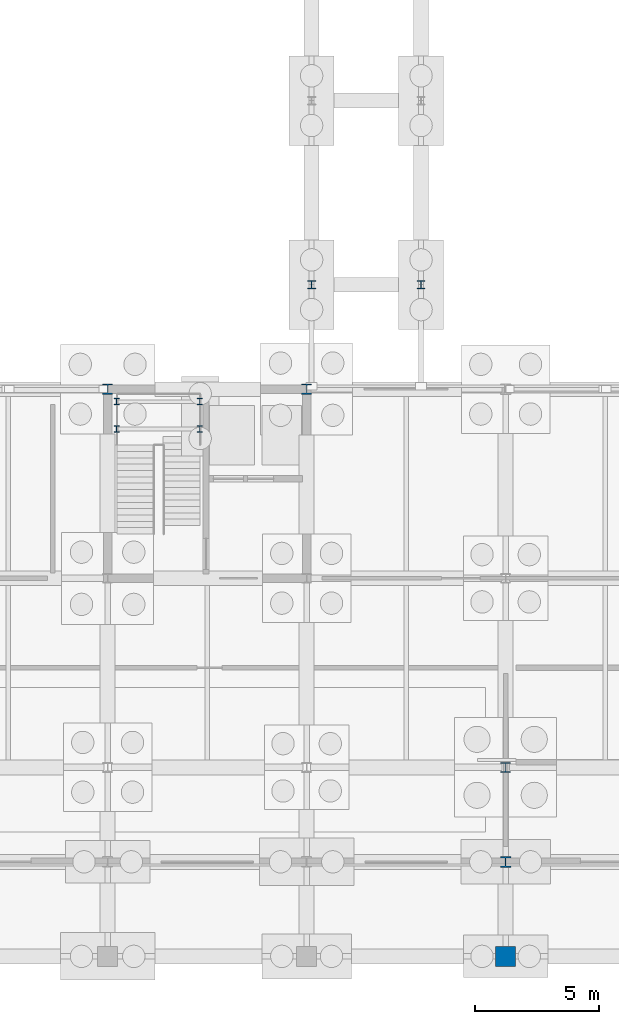
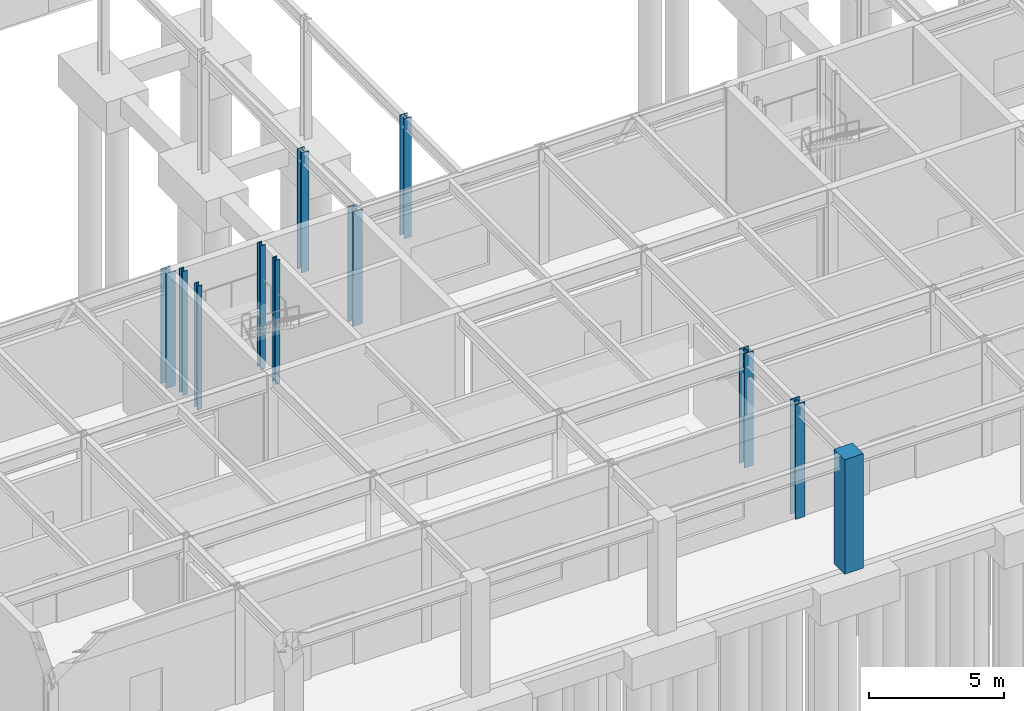
# One storey, part 9 of 62: 11 columns.
"""IFC4 building model written with IfcOpenShell, lengths in metres."""

import ifcopenshell
import ifcopenshell.guid

model = None  # the IFC model being written
_history = None  # IfcOwnerHistory: only IFC2X3 demands one
_inside = {}  # id of a spatial element -> (the spatial element, [elements in it])
_under = {}  # id of a project, library or spatial element -> (it, [spatial elements below it])
_declared = {}  # id of a project -> (the project, [libraries it declares])
_typed = {}  # id of a type object -> (the type object, [elements of that type])
_made_of = {}  # id of a material, layer set ... -> (it, [elements and type objects made of it])


def new_model(schema):
    """Start an empty IFC model of exactly this schema.

    Asked for "IFC4X3", IfcOpenShell would pick the latest addendum, in which some entities
    have other attributes; the version numbers below select the first issue.
    IFC2X3 requires an IfcOwnerHistory on every rooted entity: one is made here for all.
    """
    global model, _history
    if schema == "IFC4X3":
        model = ifcopenshell.file(schema_version=(4, 3, 0, 0))
    else:
        model = ifcopenshell.file(schema=schema)
    _inside.clear()
    _under.clear()
    _declared.clear()
    _typed.clear()
    _made_of.clear()
    _history = None
    if model.schema == "IFC2X3":
        org = make("IfcOrganization", Name="unknown")
        user = make(
            "IfcPersonAndOrganization",
            ThePerson=make("IfcPerson", FamilyName="unknown"),
            TheOrganization=org,
        )
        app = make(
            "IfcApplication",
            ApplicationDeveloper=org,
            Version="unknown",
            ApplicationFullName="unknown",
            ApplicationIdentifier="unknown",
        )
        _history = make(
            "IfcOwnerHistory",
            OwningUser=user,
            OwningApplication=app,
            ChangeAction="ADDED",
            CreationDate=0,
        )
    return model


def make(cls, **values):
    """One entity of the class cls with the attributes given. An attribute that is None is left unset."""
    return model.create_entity(
        cls, **{name: value for name, value in values.items() if value is not None}
    )


def rooted(cls, **values):
    """An entity with a GlobalId (a new one), such as an element, a storey or a relation."""
    return make(cls, GlobalId=ifcopenshell.guid.new(), OwnerHistory=_history, **values)


def si_unit(unit_type, name, prefix=None):
    """IfcSIUnit, for example si_unit("LENGTHUNIT", "METRE", prefix="MILLI")."""
    return make("IfcSIUnit", UnitType=unit_type, Prefix=prefix, Name=name)


def assignment(units):
    """IfcUnitAssignment: the units of a project."""
    return None if units is None else make("IfcUnitAssignment", Units=units)


def point(xyz):
    """IfcCartesianPoint."""
    return None if xyz is None else make("IfcCartesianPoint", Coordinates=xyz)


def direction(xyz):
    """IfcDirection."""
    return None if xyz is None else make("IfcDirection", DirectionRatios=xyz)


def frame(location, z_axis=None, x_axis=None):
    """IfcAxis2Placement3D, a coordinate frame: its origin and axes. An axis left out is left unset."""
    return make(
        "IfcAxis2Placement3D",
        Location=point(location),
        Axis=direction(z_axis),
        RefDirection=direction(x_axis),
    )


def frame_2d(location, x_axis=None):
    """IfcAxis2Placement2D, a coordinate frame in the plane: its origin and x axis."""
    return make(
        "IfcAxis2Placement2D", Location=point(location), RefDirection=direction(x_axis)
    )


def origin():
    """The frame at (0, 0, 0) with its axes left unset."""
    return frame((0.0, 0.0, 0.0))


def origin_2d():
    """The frame at (0, 0) in the plane with its x axis left unset."""
    return frame_2d((0.0, 0.0))


def place(relative_to, where):
    """IfcLocalPlacement: puts the frame where relative to a parent placement (None: the world)."""
    return make(
        "IfcLocalPlacement", PlacementRelTo=relative_to, RelativePlacement=where
    )


def context(
    kind, dimensions, precision=None, world=None, true_north=None, identifier=None
):
    """IfcGeometricRepresentationContext, for example the 3D "Model" context."""
    return make(
        "IfcGeometricRepresentationContext",
        ContextIdentifier=identifier,
        ContextType=kind,
        CoordinateSpaceDimension=dimensions,
        Precision=precision,
        WorldCoordinateSystem=world,
        TrueNorth=true_north,
    )


def subcontext(parent, identifier, kind, view, scale=None):
    """IfcGeometricRepresentationSubContext, for example "Body" below "Model"."""
    return make(
        "IfcGeometricRepresentationSubContext",
        ContextIdentifier=identifier,
        ContextType=kind,
        ParentContext=parent,
        TargetScale=scale,
        TargetView=view,
    )


def project(units=None, contexts=None):
    """IfcProject with its units and contexts."""
    return rooted(
        "IfcProject",
        Name="project",
        RepresentationContexts=contexts,
        UnitsInContext=assignment(units),
    )


def spatial(cls, under=None, at=None, **own):
    """A site, building, storey or space (cls), placed at a placement, below another one or the project."""
    s = rooted(cls, ObjectPlacement=at, **own)
    if under is not None:
        _under.setdefault(under.id(), (under, []))[1].append(s)
    return s


def profile(cls, at=None, kind="AREA", **sizes):
    """A parametric profile (cls). Its sizes go by their IFC names, for example OverallWidth=200.0."""
    return make(cls, ProfileType=kind, Position=at, **sizes)


def rectangle(**sizes):
    """IfcRectangleProfileDef."""
    return profile("IfcRectangleProfileDef", **sizes)


def i_section(**sizes):
    """IfcIShapeProfileDef."""
    return profile("IfcIShapeProfileDef", **sizes)


def extrude(swept, where, along, depth):
    """IfcExtrudedAreaSolid: the profile swept, set in the frame where, extruded along a direction by depth."""
    return make(
        "IfcExtrudedAreaSolid",
        SweptArea=swept,
        Position=where,
        ExtrudedDirection=direction(along),
        Depth=depth,
    )


def shape(context_of_items, identifier, shape_type, items):
    """IfcShapeRepresentation: the items that make up one representation, for example the "Body"."""
    return make(
        "IfcShapeRepresentation",
        ContextOfItems=context_of_items,
        RepresentationIdentifier=identifier,
        RepresentationType=shape_type,
        Items=items,
    )


def material(Name=None, Category=None):
    """IfcMaterial."""
    return make("IfcMaterial", Name=Name, Category=Category)


def material_profile(
    of_material, cross_section, Name=None, Category=None, Priority=None
):
    """IfcMaterialProfile: a cross section and its material."""
    return make(
        "IfcMaterialProfile",
        Name=Name,
        Material=of_material,
        Profile=cross_section,
        Priority=Priority,
        Category=Category,
    )


def profile_set(profiles, Name=None, composite=None):
    """IfcMaterialProfileSet."""
    return make(
        "IfcMaterialProfileSet",
        Name=Name,
        MaterialProfiles=profiles,
        CompositeProfile=composite,
    )


def made_of(thing, what):
    """Note that an element or type object is made of a material, layer set ...; save() writes the relation."""
    if what is not None:
        _made_of.setdefault(what.id(), (what, []))[1].append(thing)
    return thing


def type_object(cls, material=None, **own):
    """A type object (cls), such as IfcWallType, which elements share."""
    return made_of(rooted(cls, **own), material)


def element(
    cls,
    number,
    at=None,
    inside=None,
    cuts=None,
    type_object=None,
    material=None,
    context=None,
    identifier="Body",
    shape_type=None,
    held_by="IfcProductDefinitionShape",
    body=None,
    shapes=None,
    **own,
):
    """One element of the class cls, such as IfcWall. Its Tag is "e" and its number.

    at: its placement. inside: the storey or other place that contains it. cuts: it is an
    opening in that element (IfcRelVoidsElement). A single representation is given by context,
    identifier, shape_type and body (its items); several are given by shapes. held_by: the class
    of the entity that holds the representations. save() writes the other relations.
    """
    e = rooted(cls, Tag="e%d" % number, ObjectPlacement=at, **own)
    if body is not None:
        shapes = [shape(context, identifier, shape_type, body)]
    if shapes is not None:
        e.Representation = make(held_by, Representations=shapes)
    if inside is not None:
        _inside.setdefault(inside.id(), (inside, []))[1].append(e)
    if cuts is not None:
        rooted(
            "IfcRelVoidsElement", RelatingBuildingElement=cuts, RelatedOpeningElement=e
        )
    if type_object is not None:
        _typed.setdefault(type_object.id(), (type_object, []))[1].append(e)
    return made_of(e, material)


def aggregate(whole, parts):
    """IfcRelAggregates: a whole, such as a stair, and the parts it consists of."""
    return rooted("IfcRelAggregates", RelatingObject=whole, RelatedObjects=parts)


def save(model, path):
    """Write the relations noted so far, then the file.

    IfcRelAggregates (storeys below a building ...), IfcRelContainedInSpatialStructure (elements
    in a storey), IfcRelDefinesByType, IfcRelAssociatesMaterial and IfcRelDeclares: one each for
    every whole, place, type object, material and project.
    """
    for whole, parts in _under.values():
        aggregate(whole, parts)
    for where, things in _inside.values():
        rooted(
            "IfcRelContainedInSpatialStructure",
            RelatedElements=things,
            RelatingStructure=where,
        )
    for kind, things in _typed.values():
        rooted("IfcRelDefinesByType", RelatedObjects=things, RelatingType=kind)
    for what, things in _made_of.values():
        rooted("IfcRelAssociatesMaterial", RelatedObjects=things, RelatingMaterial=what)
    for by, libraries in _declared.values():
        rooted("IfcRelDeclares", RelatingContext=by, RelatedDefinitions=libraries)
    model.write(path)


model = new_model("IFC4")

# Units and contexts
model_context = context("Model", 3, precision=1e-05, world=origin(), true_north=direction((0.0, 1.0)))
body_context = subcontext(model_context, "Body", "Model", "MODEL_VIEW")
ifc_project = project(units=[si_unit("LENGTHUNIT", "METRE"), si_unit("AREAUNIT", "SQUARE_METRE"), si_unit("VOLUMEUNIT", "CUBIC_METRE"), si_unit("PLANEANGLEUNIT", "RADIAN"), si_unit("MASSUNIT", "GRAM", prefix="KILO")], contexts=[model_context])

# Site, building, storey
site_placement = place(None, origin())
site = spatial("IfcSite", under=ifc_project, at=site_placement, CompositionType="ELEMENT")
building_placement = place(site_placement, origin())
building = spatial("IfcBuilding", under=site, at=building_placement, Name="Zulena Civic Courthouse", CompositionType="ELEMENT")
storey_placement = place(building_placement, origin())
storey = spatial("IfcBuildingStorey", under=building, at=storey_placement, Name="L00", CompositionType="ELEMENT", Elevation=0.0)

# Columns
ifc_material_1 = material(Name="Concrete C40/50", Category="concrete")
ifc_material_profile_1 = material_profile(ifc_material_1, rectangle(XDim=0.800048828125, YDim=0.800048828125, at=origin_2d()), Name="RC800X800")
ifc_profile_set_1 = profile_set([ifc_material_profile_1], Name="Concrete C40/50")
column_type_1 = type_object("IfcColumnType", Name="Col_RC800", PredefinedType="COLUMN", material=ifc_profile_set_1)
column_1_placement = place(storey_placement, frame((36.0, 0.0, 0.0), z_axis=(0.0, 0.0, 1.0), x_axis=(1.0, 0.0, 0.0)))
element("IfcColumn", 1, at=column_1_placement, inside=storey, type_object=column_type_1, Name="col:V2:L00:arc:36.0", PredefinedType="COLUMN", context=body_context, shape_type="SweptSolid", body=[
    extrude(rectangle(XDim=0.800048828125, YDim=0.800048828125, at=origin_2d()), origin(), (0.0, 0.0, 1.0), 5.18505859375),
])
ifc_material_2 = material(Name="Steel ASTM A992 Grade 50", Category="steel")
ifc_material_profile_2 = material_profile(ifc_material_2, i_section(OverallWidth=0.2041015625, OverallDepth=0.257080078125, WebThickness=0.0087890625, FlangeThickness=0.015625, FilletRadius=0.0126953125, at=origin_2d()), Name="W10X45")
ifc_profile_set_2 = profile_set([ifc_material_profile_2], Name="Steel ASTM A992 Grade 50")
column_type_2 = type_object("IfcColumnType", Name="Col_W10X45", PredefinedType="COLUMN", material=ifc_profile_set_2)
for number, where, z_axis, x_axis, name in (
    (2, (20.360107421875, 21.199951171875, -0.22998046875), (0.0, 0.0, 1.0), (1.0, 0.0, 0.0), "col:lnd:K2A:L00:0:0"),
    (3, (23.699951171875, 21.199951171875, -0.22998046875), (0.0, 0.0, 1.0), (1.0, 0.0, 0.0), "col:lnd:K2A:L00:0:1"),
    (4, (20.360107421875, 22.300048828125, -0.22998046875), (0.0, 0.0, 1.0), (1.0, 0.0, 0.0), "col:lnd:K2A:L00:1:0"),
    (5, (23.699951171875, 22.300048828125, -0.22998046875), (0.0, 0.0, 1.0), (1.0, 0.0, 0.0), "col:lnd:K2A:L00:1:1"),
):
    element("IfcColumn", number, at=place(storey_placement, frame(where, z_axis=z_axis, x_axis=x_axis)), inside=storey, type_object=column_type_2, Name=name, PredefinedType="COLUMN", context=body_context, shape_type="SweptSolid", body=[
        extrude(i_section(OverallWidth=0.2041015625, OverallDepth=0.257080078125, WebThickness=0.0087890625, FlangeThickness=0.015625, FilletRadius=0.0126953125, at=origin_2d()), origin(), (0.0, 0.0, 1.0), 5.625),
    ])
ifc_material_profile_3 = material_profile(ifc_material_2, i_section(OverallWidth=0.31298828125, OverallDepth=0.3330078125, WebThickness=0.01806640625, FlangeThickness=0.0283203125, FilletRadius=0.01513671875, at=origin_2d()), Name="W12X120")
ifc_profile_set_3 = profile_set([ifc_material_profile_3], Name="Steel ASTM A992 Grade 50")
column_type_3 = type_object("IfcColumnType", Name="Col_W12X120", PredefinedType="COLUMN", material=ifc_profile_set_3)
for number, where, z_axis, x_axis, name in (
    (6, (28.199951171875, 27.0, -0.22998046875), (0.0, 0.0, 1.0), (1.0, 0.0, 0.0), "col:bridge:BR-52J:L00:28.20:27.00"),
    (7, (32.60009765625, 27.0, -0.22998046875), (0.0, 0.0, 1.0), (1.0, 0.0, 0.0), "col:bridge:BR-52J:L00:32.60:27.00"),
):
    element("IfcColumn", number, at=place(storey_placement, frame(where, z_axis=z_axis, x_axis=x_axis)), inside=storey, type_object=column_type_3, Name=name, PredefinedType="COLUMN", context=body_context, shape_type="SweptSolid", body=[
        extrude(i_section(OverallWidth=0.31298828125, OverallDepth=0.3330078125, WebThickness=0.01806640625, FlangeThickness=0.0283203125, FilletRadius=0.01513671875, at=origin_2d()), origin(), (0.0, 0.0, 1.0), 5.43505859375),
    ])
ifc_material_profile_4 = material_profile(ifc_material_2, i_section(OverallWidth=0.40087890625, OverallDepth=0.39892578125, WebThickness=0.02490234375, FlangeThickness=0.03955078125, FilletRadius=0.01513671875, at=origin_2d()), Name="W14X211")
ifc_profile_set_4 = profile_set([ifc_material_profile_4], Name="Steel ASTM A992 Grade 50")
column_type_4 = type_object("IfcColumnType", Name="Col_W14X211", PredefinedType="COLUMN", material=ifc_profile_set_4)
column_2_placement = place(storey_placement, frame((36.0, 7.60009765625, 0.0), z_axis=(0.0, 0.0, 1.0), x_axis=(1.0, 0.0, 0.0)))
element("IfcColumn", 8, at=column_2_placement, inside=storey, type_object=column_type_4, Name="col:V2:L00:36.0:7.6", PredefinedType="COLUMN", context=body_context, shape_type="SweptSolid", body=[
    extrude(i_section(OverallWidth=0.40087890625, OverallDepth=0.39892578125, WebThickness=0.02490234375, FlangeThickness=0.03955078125, FilletRadius=0.01513671875, at=origin_2d()), origin(), (0.0, 0.0, 1.0), 5.18505859375),
])
ifc_material_profile_5 = material_profile(ifc_material_2, i_section(OverallWidth=0.406005859375, OverallDepth=0.416015625, WebThickness=0.02978515625, FlangeThickness=0.048095703125, FilletRadius=0.01513671875, at=origin_2d()), Name="W14X257")
ifc_profile_set_5 = profile_set([ifc_material_profile_5], Name="Steel ASTM A992 Grade 50")
column_type_5 = type_object("IfcColumnType", Name="Col_W14X257", PredefinedType="COLUMN", material=ifc_profile_set_5)
for number, where, z_axis, x_axis, name in (
    (9, (20.0, 22.800048828125, 0.0), (0.0, 0.0, 1.0), (1.0, 0.0, 0.0), "col:V2:L00:20.0:22.8"),
    (10, (28.0, 22.800048828125, 0.0), (0.0, 0.0, 1.0), (1.0, 0.0, 0.0), "col:V2:L00:28.0:22.8"),
):
    element("IfcColumn", number, at=place(storey_placement, frame(where, z_axis=z_axis, x_axis=x_axis)), inside=storey, type_object=column_type_5, Name=name, PredefinedType="COLUMN", context=body_context, shape_type="SweptSolid", body=[
        extrude(i_section(OverallWidth=0.406005859375, OverallDepth=0.416015625, WebThickness=0.02978515625, FlangeThickness=0.048095703125, FilletRadius=0.01513671875, at=origin_2d()), origin(), (0.0, 0.0, 1.0), 5.18505859375),
    ])
ifc_material_profile_6 = material_profile(ifc_material_2, i_section(OverallWidth=0.412109375, OverallDepth=0.43505859375, WebThickness=0.035888671875, FlangeThickness=0.057373046875, FilletRadius=0.01513671875, at=origin_2d()), Name="W14X311")
ifc_profile_set_6 = profile_set([ifc_material_profile_6], Name="Steel ASTM A992 Grade 50")
column_type_6 = type_object("IfcColumnType", Name="Col_W14X311", PredefinedType="COLUMN", material=ifc_profile_set_6)
column_3_placement = place(storey_placement, frame((36.0, 3.800048828125, 0.0), z_axis=(0.0, 0.0, 1.0), x_axis=(1.0, 0.0, 0.0)))
element("IfcColumn", 11, at=column_3_placement, inside=storey, type_object=column_type_6, Name="col:V2:L00:36.0:3.8", PredefinedType="COLUMN", context=body_context, shape_type="SweptSolid", body=[
    extrude(i_section(OverallWidth=0.412109375, OverallDepth=0.43505859375, WebThickness=0.035888671875, FlangeThickness=0.057373046875, FilletRadius=0.01513671875, at=origin_2d()), origin(), (0.0, 0.0, 1.0), 5.18505859375),
])

save(model, "model.ifc")
